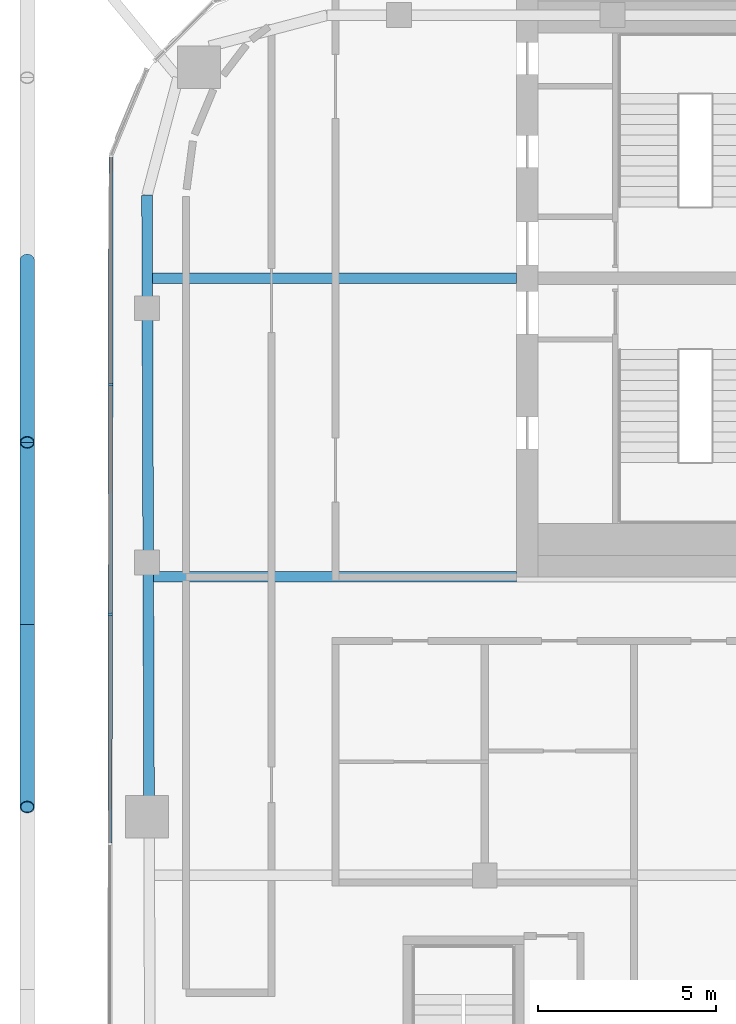
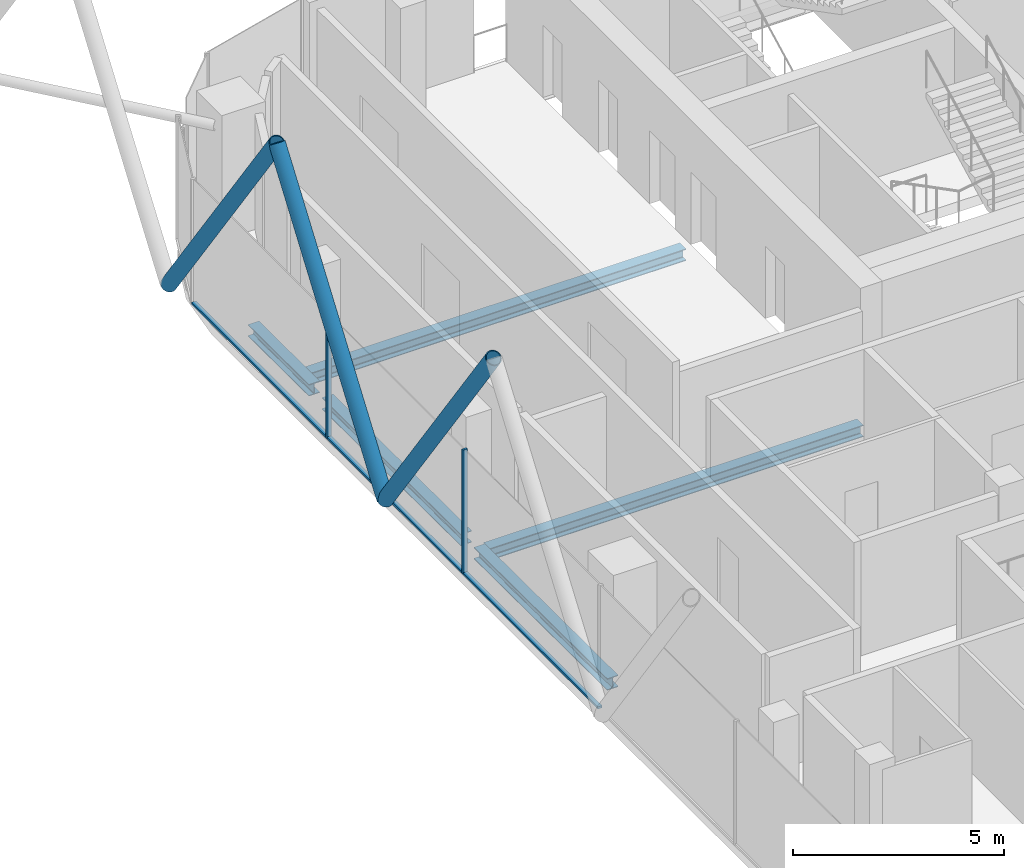
# One storey, part 8 of 27: 8 members, 5 beams, 1 element without a shape of its own.
"""IFC4 building model written with IfcOpenShell, lengths in metres."""

from ifc_helpers import new_model, si_unit, direction, frame, origin, origin_2d, place, context, subcontext, project, spatial, rectangle, hollow_circle, i_section, extrude, material, layer, layer_set, material_profile, profile_set, type_object, element, aggregate, save


model = new_model("IFC4")

# Units and contexts
model_context = context("Model", 3, precision=1e-05, world=origin(), true_north=direction((0.0, 1.0)))
body_context = subcontext(model_context, "Body", "Model", "MODEL_VIEW")
ifc_project = project(units=[si_unit("LENGTHUNIT", "METRE"), si_unit("AREAUNIT", "SQUARE_METRE"), si_unit("VOLUMEUNIT", "CUBIC_METRE"), si_unit("PLANEANGLEUNIT", "RADIAN"), si_unit("MASSUNIT", "GRAM", prefix="KILO")], contexts=[model_context])

# Site, building, storey
site_placement = place(None, origin())
site = spatial("IfcSite", under=ifc_project, at=site_placement, CompositionType="ELEMENT")
building_placement = place(site_placement, origin())
building = spatial("IfcBuilding", under=site, at=building_placement, Name="Marenta Gate Hotel Tower", CompositionType="ELEMENT")
storey_placement = place(building_placement, frame((0.0, 0.0, 270.5)))
storey = spatial("IfcBuildingStorey", under=building, at=storey_placement, Name="L62", CompositionType="ELEMENT", Elevation=270.5)

# Members
ifc_material_1 = material(Name="Steel S355J2W", Category="steel")
ifc_material_profile_1 = material_profile(ifc_material_1, hollow_circle(Radius=0.203125, WallThickness=0.02490234375, at=origin_2d()), Name="CHS 406.4x25")
ifc_profile_set_1 = profile_set([ifc_material_profile_1], Name="Steel S355J2W")
member_type_1 = type_object("IfcMemberType", Name="Diagrid diagonal Z4 CHS 406.4x25", PredefinedType="BRACE", material=ifc_profile_set_1)
for number, where, z_axis, x_axis, name in (
    (1, (-25.469970703125, -1.347412109375, 3.139892578125), (0.0, -0.580200600178, 0.81447361133), (1.0, 0.0, 0.0), "L62-DG-30"),
    (2, (-25.469970703125, -1.347412109375, 3.139892578125), (0.0, 0.580218919795, 0.814460560808), (-1.0, 0.0, 0.0), "L62-DG-31"),
    (3, (-25.469970703125, 8.911376953125, 3.139892578125), (0.0, -0.580218919795, 0.814460560808), (1.0, 0.0, 0.0), "L62-DG-32"),
):
    element("IfcMember", number, at=place(storey_placement, frame(where, z_axis=z_axis, x_axis=x_axis)), inside=storey, type_object=member_type_1, Name=name, PredefinedType="BRACE", context=body_context, shape_type="SweptSolid", body=[
        extrude(hollow_circle(Radius=0.203125, WallThickness=0.02490234375, at=origin_2d()), origin(), (0.0, 0.0, 1.0), 8.84033203125),
    ])

# Beams
ifc_material_2 = material(Name="Steel S355", Category="steel")
ifc_material_profile_2 = material_profile(ifc_material_2, i_section(OverallWidth=0.300048828125, OverallDepth=0.340087890625, WebThickness=0.011962890625, FlangeThickness=0.021484375, FilletRadius=0.027099609375, at=origin_2d()), Name="HEB 340")
ifc_profile_set_2 = profile_set([ifc_material_profile_2], Name="Steel S355")
beam_type_1 = type_object("IfcBeamType", Name="Edge beam HEB 340", PredefinedType="SPANDREL", material=ifc_profile_set_2)
beam_1_placement = place(storey_placement, frame((-22.043701171875, -6.18994140625, -0.429931640625), z_axis=(-0.003302748539, 0.999994545911, 0.0), x_axis=(-0.999994545911, -0.003302748539, 0.0)))
element("IfcBeam", 4, at=beam_1_placement, inside=storey, type_object=beam_type_1, Name="L62-EB-8", PredefinedType="SPANDREL", context=body_context, shape_type="SweptSolid", body=[
    extrude(i_section(OverallWidth=0.300048828125, OverallDepth=0.340087890625, WebThickness=0.011962890625, FlangeThickness=0.021484375, FilletRadius=0.027099609375, at=origin_2d()), origin(), (0.0, 0.0, 1.0), 6.283203125),
])
beam_2_placement = place(storey_placement, frame((-22.066650390625, 0.713134765625, -0.429931640625), z_axis=(-0.003325841098, 0.999994469375, 0.0), x_axis=(-0.999994469375, -0.003325841098, 0.0)))
element("IfcBeam", 5, at=beam_2_placement, inside=storey, type_object=beam_type_1, Name="L62-EB-9", PredefinedType="SPANDREL", context=body_context, shape_type="SweptSolid", body=[
    extrude(i_section(OverallWidth=0.300048828125, OverallDepth=0.340087890625, WebThickness=0.011962890625, FlangeThickness=0.021484375, FilletRadius=0.027099609375, at=origin_2d()), origin(), (0.0, 0.0, 1.0), 6.533203125),
])
beam_3_placement = place(storey_placement, frame((-22.09033203125, 7.866455078125, -0.429931640625), z_axis=(-0.003405104972, 0.999994202613, 0.0), x_axis=(-0.999994202613, -0.003405104972, 0.0)))
element("IfcBeam", 6, at=beam_3_placement, inside=storey, type_object=beam_type_1, Name="L62-EB-10", PredefinedType="SPANDREL", context=body_context, shape_type="SweptSolid", body=[
    extrude(i_section(OverallWidth=0.300048828125, OverallDepth=0.340087890625, WebThickness=0.011962890625, FlangeThickness=0.021484375, FilletRadius=0.027099609375, at=origin_2d()), origin(), (0.0, 0.0, 1.0), 2.867919921875),
])
ifc_material_3 = material(Name="Steel S355", Category="steel")
ifc_material_profile_3 = material_profile(ifc_material_3, i_section(OverallWidth=0.300048828125, OverallDepth=0.340087890625, WebThickness=0.011962890625, FlangeThickness=0.021484375, FilletRadius=0.027099609375, at=origin_2d()), Name="HEB 340")
ifc_profile_set_3 = profile_set([ifc_material_profile_3], Name="Steel S355")
beam_type_2 = type_object("IfcBeamType", Name="Girder HEB 340", PredefinedType="BEAM", material=ifc_profile_set_3)
beam_4_placement = place(storey_placement, frame((-21.914306640625, 0.0, -0.429931640625), z_axis=(1.0, 0.0, 0.0), x_axis=(0.0, 1.0, 0.0)))
element("IfcBeam", 7, at=beam_4_placement, inside=storey, type_object=beam_type_2, Name="L62-GD-16", PredefinedType="BEAM", context=body_context, shape_type="SweptSolid", body=[
    extrude(i_section(OverallWidth=0.300048828125, OverallDepth=0.340087890625, WebThickness=0.011962890625, FlangeThickness=0.021484375, FilletRadius=0.027099609375, at=origin_2d()), origin(), (0.0, 0.0, 1.0), 10.21435546875),
])
beam_5_placement = place(storey_placement, frame((-21.942138671875, 8.39990234375, -0.429931640625), z_axis=(1.0, 0.0, 0.0), x_axis=(0.0, 1.0, 0.0)))
element("IfcBeam", 8, at=beam_5_placement, inside=storey, type_object=beam_type_2, Name="L62-GD-19", PredefinedType="BEAM", context=body_context, shape_type="SweptSolid", body=[
    extrude(i_section(OverallWidth=0.300048828125, OverallDepth=0.340087890625, WebThickness=0.011962890625, FlangeThickness=0.021484375, FilletRadius=0.027099609375, at=origin_2d()), origin(), (0.0, 0.0, 1.0), 10.2421875),
])

# Curtain wall, members
ifc_material_4 = material(Name="Tinted insulated glass in bronze anodised frame", Category="glass")
ifc_layer = layer(ifc_material_4, 0.1201171875)
ifc_layer_set = layer_set([ifc_layer], Name="Tinted insulated glass in bronze anodised frame")
curtain_wall_type = type_object("IfcCurtainWallType", Name="Tower unitised curtain wall CW1", PredefinedType="NOTDEFINED", material=ifc_layer_set)
curtain_wall_placement = place(storey_placement, origin())
curtain_wall = element("IfcCurtainWall", 9, at=curtain_wall_placement, inside=storey, type_object=curtain_wall_type, Name="CW1 run G04", PredefinedType="NOTDEFINED")
ifc_material_5 = material(Name="Bronze anodised aluminium", Category="aluminium")
ifc_material_profile_4 = material_profile(ifc_material_5, rectangle(XDim=0.1201171875, YDim=0.06005859375, at=origin_2d()), Name="Mullion CW1 60x120 bronze anodised aluminium")
ifc_profile_set_4 = profile_set([ifc_material_profile_4], Name="Bronze anodised aluminium")
member_type_2 = type_object("IfcMemberType", Name="Mullion CW1 60x120 bronze anodised aluminium", PredefinedType="MULLION", material=ifc_profile_set_4)
member_1_placement = place(storey_placement, frame((-23.122314453125, 5.40625, 0.0), z_axis=(0.0, 0.0, 1.0), x_axis=(0.99999877375, -0.001566045546, 0.0)))
member_1 = element("IfcMember", 10, at=member_1_placement, type_object=member_type_2, Name="CW1 mullion 2", PredefinedType="MULLION", context=body_context, shape_type="SweptSolid", body=[
    extrude(rectangle(XDim=0.1201171875, YDim=0.06005859375, at=origin_2d()), origin(), (0.0, 0.0, 1.0), 3.60009765625),
])
member_2_placement = place(storey_placement, frame((-23.132568359375, -1.0537109375, 0.0), z_axis=(0.0, 0.0, 1.0), x_axis=(0.99999877375, -0.001566045546, 0.0)))
member_2 = element("IfcMember", 11, at=member_2_placement, type_object=member_type_2, Name="CW1 mullion 3", PredefinedType="MULLION", context=body_context, shape_type="SweptSolid", body=[
    extrude(rectangle(XDim=0.1201171875, YDim=0.06005859375, at=origin_2d()), origin(), (0.0, 0.0, 1.0), 3.60009765625),
])
ifc_material_6 = material(Name="Bronze anodised aluminium", Category="aluminium")
ifc_material_profile_5 = material_profile(ifc_material_6, rectangle(XDim=0.1201171875, YDim=0.06005859375, at=origin_2d()), Name="Transom CW1 60x120 bronze anodised aluminium")
ifc_profile_set_5 = profile_set([ifc_material_profile_5], Name="Bronze anodised aluminium")
member_type_3 = type_object("IfcMemberType", Name="Transom CW1 60x120 bronze anodised aluminium", PredefinedType="USERDEFINED", material=ifc_profile_set_5)
member_3_placement = place(storey_placement, frame((-23.1123046875, 11.80615234375, 0.030029296875), z_axis=(-0.001571421156, -0.999998765317, 0.0), x_axis=(0.999998765317, -0.001571421156, 0.0)))
member_3 = element("IfcMember", 12, at=member_3_placement, type_object=member_type_3, Name="CW1 transom 1.1", ObjectType="TRANSOM", PredefinedType="USERDEFINED", context=body_context, shape_type="SweptSolid", body=[
    extrude(rectangle(XDim=0.1201171875, YDim=0.06005859375, at=origin_2d()), origin(), (0.0, 0.0, 1.0), 6.369873046875),
])
member_4_placement = place(storey_placement, frame((-23.12255859375, 5.376220703125, 0.030029296875), z_axis=(-0.001564047831, -0.999998776876, 0.0), x_axis=(0.999998776876, -0.001564047831, 0.0)))
member_4 = element("IfcMember", 13, at=member_4_placement, type_object=member_type_3, Name="CW1 transom 2.1", ObjectType="TRANSOM", PredefinedType="USERDEFINED", context=body_context, shape_type="SweptSolid", body=[
    extrude(rectangle(XDim=0.1201171875, YDim=0.06005859375, at=origin_2d()), origin(), (0.0, 0.0, 1.0), 6.39990234375),
])
member_5_placement = place(storey_placement, frame((-23.132568359375, -1.083740234375, 0.030029296875), z_axis=(-0.001563988169, -0.99999877697, 0.0), x_axis=(0.99999877697, -0.001563988169, 0.0)))
member_5 = element("IfcMember", 14, at=member_5_placement, type_object=member_type_3, Name="CW1 transom 3.1", ObjectType="TRANSOM", PredefinedType="USERDEFINED", context=body_context, shape_type="SweptSolid", body=[
    extrude(rectangle(XDim=0.1201171875, YDim=0.06005859375, at=origin_2d()), origin(), (0.0, 0.0, 1.0), 6.400146484375),
])
aggregate(curtain_wall, [member_1, member_2, member_3, member_4, member_5])

save(model, "model.ifc")
